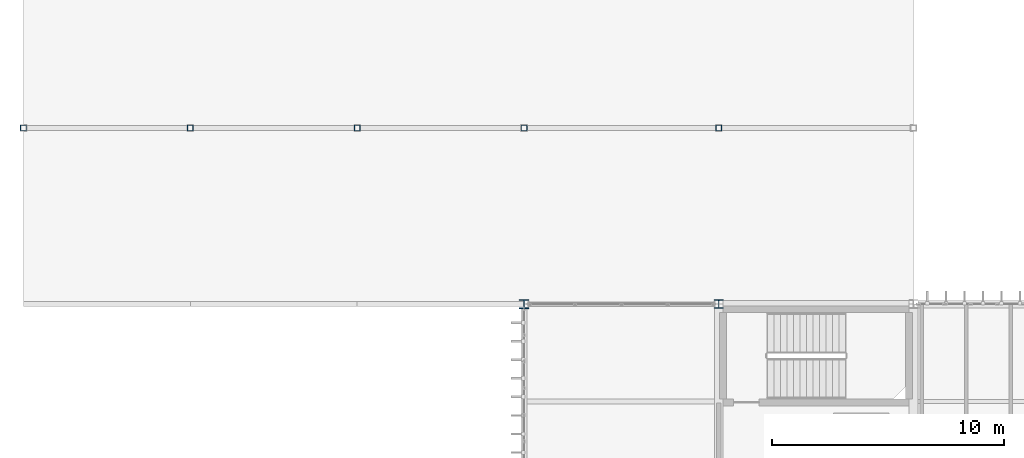
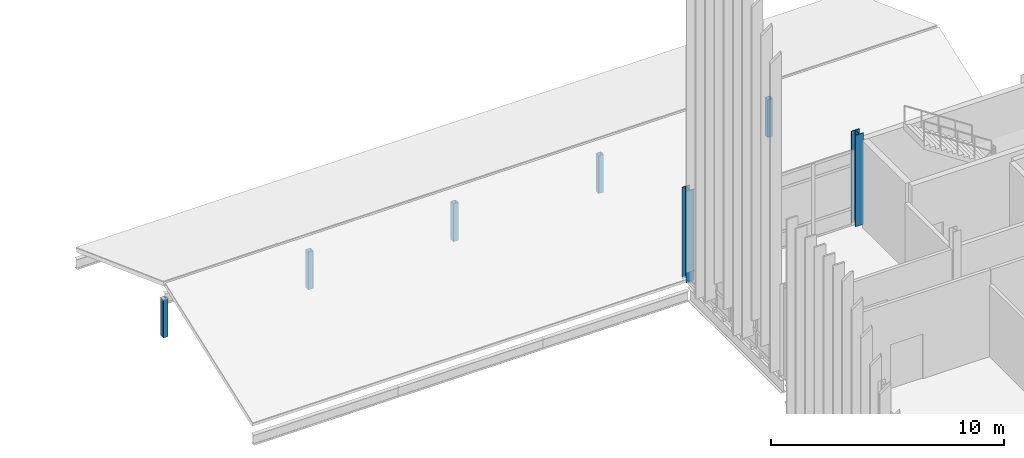
# One storey, part 2 of 153: 7 columns.
"""IFC4 building model written with IfcOpenShell, lengths in metres."""

from ifc_helpers import new_model, si_unit, direction, frame, origin, origin_2d, place, context, subcontext, project, spatial, hollow_rectangle, i_section, extrude, material, material_profile, profile_set, type_object, element, save


model = new_model("IFC4")

# Units and contexts
model_context = context("Model", 3, precision=1e-05, world=origin(), true_north=direction((0.0, 1.0)))
body_context = subcontext(model_context, "Body", "Model", "MODEL_VIEW")
ifc_project = project(units=[si_unit("LENGTHUNIT", "METRE"), si_unit("AREAUNIT", "SQUARE_METRE"), si_unit("VOLUMEUNIT", "CUBIC_METRE"), si_unit("PLANEANGLEUNIT", "RADIAN"), si_unit("MASSUNIT", "GRAM", prefix="KILO")], contexts=[model_context])

# Site, building, storey
site_placement = place(None, origin())
site = spatial("IfcSite", under=ifc_project, at=site_placement, CompositionType="ELEMENT")
building_placement = place(site_placement, origin())
building = spatial("IfcBuilding", under=site, at=building_placement, Name="Calvrana Isthmian Art Gallery", CompositionType="ELEMENT")
storey_placement = place(building_placement, frame((0.0, 0.0, 10.199951171875)))
storey = spatial("IfcBuildingStorey", under=building, at=storey_placement, Name="L02", CompositionType="ELEMENT", Elevation=10.199951171875)

# Columns
ifc_material_1 = material(Name="Steel ASTM A500 Gr C", Category="steel")
ifc_material_profile_1 = material_profile(ifc_material_1, hollow_rectangle(XDim=0.25390625, YDim=0.25390625, WallThickness=0.0126953125, OuterFilletRadius=0.02490234375, at=origin_2d()), Name="HSS254X254X12.7")
ifc_profile_set_1 = profile_set([ifc_material_profile_1], Name="Steel ASTM A500 Gr C")
column_type_1 = type_object("IfcColumnType", Name="COL-STL-HSS254X254X12.7", PredefinedType="COLUMN", material=ifc_profile_set_1)
for number, where, z_axis, x_axis, name in (
    (1, (0.0, 54.39990234375, 0.0), (0.0, 0.0, 1.0), (1.0, 0.0, 0.0), "Roof ridge post L02-1"),
    (2, (7.199951171875, 54.39990234375, 0.0), (0.0, 0.0, 1.0), (1.0, 0.0, 0.0), "Roof ridge post L02-2"),
    (3, (14.39990234375, 54.39990234375, 0.0), (0.0, 0.0, 1.0), (1.0, 0.0, 0.0), "Roof ridge post L02-3"),
    (4, (21.60009765625, 54.39990234375, 0.0), (0.0, 0.0, 1.0), (1.0, 0.0, 0.0), "Roof ridge post L02-4"),
    (5, (30.0, 54.39990234375, 0.0), (0.0, 0.0, 1.0), (1.0, 0.0, 0.0), "Roof ridge post L02-5"),
):
    element("IfcColumn", number, at=place(storey_placement, frame(where, z_axis=z_axis, x_axis=x_axis)), inside=storey, type_object=column_type_1, Name=name, PredefinedType="COLUMN", context=body_context, shape_type="SweptSolid", body=[
        extrude(hollow_rectangle(XDim=0.25390625, YDim=0.25390625, WallThickness=0.0126953125, OuterFilletRadius=0.02490234375, at=origin_2d()), origin(), (0.0, 0.0, 1.0), 1.97998046875),
    ])
ifc_material_2 = material(Name="Steel ASTM A992 Gr 50", Category="steel")
ifc_material_profile_2 = material_profile(ifc_material_2, i_section(OverallWidth=0.39404296875, OverallDepth=0.3759765625, WebThickness=0.017333984375, FlangeThickness=0.027587890625, FilletRadius=0.02490234375, at=origin_2d()), Name="W14X145")
ifc_profile_set_2 = profile_set([ifc_material_profile_2], Name="Steel ASTM A992 Gr 50")
column_type_2 = type_object("IfcColumnType", Name="COL-STL-W14X145", PredefinedType="COLUMN", material=ifc_profile_set_2)
column_1_placement = place(storey_placement, frame((30.0, 46.800048828125, 0.0), z_axis=(0.0, 0.0, 1.0), x_axis=(1.0, 0.0, 0.0)))
element("IfcColumn", 6, at=column_1_placement, inside=storey, type_object=column_type_2, Name="Column 05/G L02", PredefinedType="COLUMN", context=body_context, shape_type="SweptSolid", body=[
    extrude(i_section(OverallWidth=0.39404296875, OverallDepth=0.3759765625, WebThickness=0.017333984375, FlangeThickness=0.027587890625, FilletRadius=0.02490234375, at=origin_2d()), origin(), (0.0, 0.0, 1.0), 4.800048828125),
])
ifc_material_profile_3 = material_profile(ifc_material_2, i_section(OverallWidth=0.39599609375, OverallDepth=0.381103515625, WebThickness=0.018798828125, FlangeThickness=0.0302734375, FilletRadius=0.02490234375, at=origin_2d()), Name="W14X159")
ifc_profile_set_3 = profile_set([ifc_material_profile_3], Name="Steel ASTM A992 Gr 50")
column_type_3 = type_object("IfcColumnType", Name="COL-STL-W14X159", PredefinedType="COLUMN", material=ifc_profile_set_3)
column_2_placement = place(storey_placement, frame((21.60009765625, 46.800048828125, 0.0), z_axis=(0.0, 0.0, 1.0), x_axis=(1.0, 0.0, 0.0)))
element("IfcColumn", 7, at=column_2_placement, inside=storey, type_object=column_type_3, Name="Column 04/G L02", PredefinedType="COLUMN", context=body_context, shape_type="SweptSolid", body=[
    extrude(i_section(OverallWidth=0.39599609375, OverallDepth=0.381103515625, WebThickness=0.018798828125, FlangeThickness=0.0302734375, FilletRadius=0.02490234375, at=origin_2d()), origin(), (0.0, 0.0, 1.0), 4.800048828125),
])

save(model, "model.ifc")
